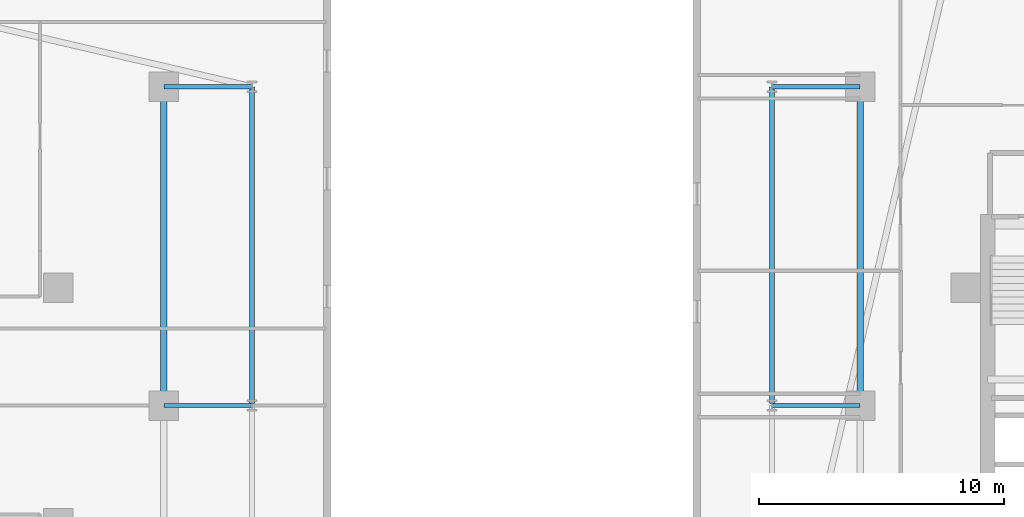
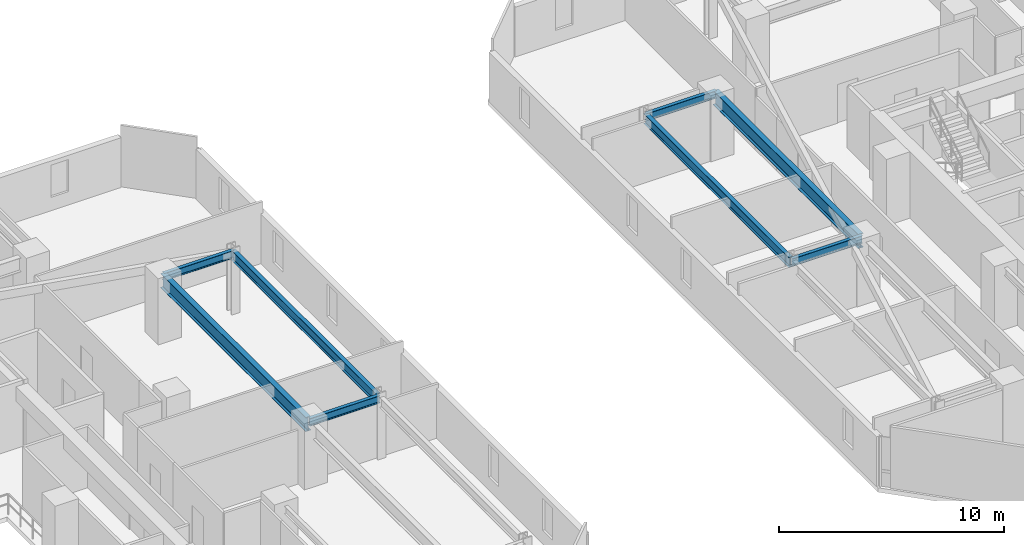
# One storey, part 7 of 31: 8 beams.
"""IFC4 building model written with IfcOpenShell, lengths in metres."""

from ifc_helpers import new_model, si_unit, direction, frame, origin, origin_2d, place, context, subcontext, project, spatial, i_section, extrude, material, material_profile, profile_set, type_object, element, save


model = new_model("IFC4")

# Units and contexts
model_context = context("Model", 3, precision=1e-05, world=origin(), true_north=direction((0.0, 1.0)))
body_context = subcontext(model_context, "Body", "Model", "MODEL_VIEW")
ifc_project = project(units=[si_unit("LENGTHUNIT", "METRE"), si_unit("AREAUNIT", "SQUARE_METRE"), si_unit("VOLUMEUNIT", "CUBIC_METRE"), si_unit("PLANEANGLEUNIT", "RADIAN"), si_unit("MASSUNIT", "GRAM", prefix="KILO")], contexts=[model_context])

# Site, building, storey
site_placement = place(None, origin())
site = spatial("IfcSite", under=ifc_project, at=site_placement, CompositionType="ELEMENT")
building_placement = place(site_placement, origin())
building = spatial("IfcBuilding", under=site, at=building_placement, Name="Thornwick Lancets Civic Towers", CompositionType="ELEMENT")
storey_placement = place(building_placement, frame((0.0, 0.0, 90.89990234375)))
storey = spatial("IfcBuildingStorey", under=building, at=storey_placement, Name="L23", CompositionType="ELEMENT", Elevation=90.89990234375)

# Beams
ifc_material = material(Name="Steel S355JR", Category="steel")
ifc_material_profile_1 = material_profile(ifc_material, i_section(OverallWidth=0.2119140625, OverallDepth=0.54443359375, WebThickness=0.0126953125, FlangeThickness=0.021240234375, FilletRadius=0.0126953125, at=origin_2d()), Name="UKB 533x210x122")
ifc_profile_set_1 = profile_set([ifc_material_profile_1], Name="Steel S355JR")
beam_type_1 = type_object("IfcBeamType", Name="BM_EDGE_533_122", PredefinedType="SPANDREL", material=ifc_profile_set_1)
for number, where, z_axis, x_axis, name in (
    (1, (46.39990234375, 27.080078125, 3.087890625), (0.0, 1.0, 0.0), (-1.0, 0.0, 0.0), "BM-EDGE-L23-A-S1-2"),
    (2, (67.60009765625, 27.080078125, 3.087890625), (0.0, 1.0, 0.0), (-1.0, 0.0, 0.0), "BM-EDGE-L23-B-S2-2"),
):
    element("IfcBeam", number, at=place(storey_placement, frame(where, z_axis=z_axis, x_axis=x_axis)), inside=storey, type_object=beam_type_1, Name=name, PredefinedType="SPANDREL", context=body_context, shape_type="SweptSolid", body=[
        extrude(i_section(OverallWidth=0.2119140625, OverallDepth=0.54443359375, WebThickness=0.0126953125, FlangeThickness=0.021240234375, FilletRadius=0.0126953125, at=origin_2d()), origin(), (0.0, 0.0, 1.0), 12.919921875),
    ])
ifc_material_profile_2 = material_profile(ifc_material, i_section(OverallWidth=0.26806640625, OverallDepth=0.769775390625, WebThickness=0.015625, FlangeThickness=0.025390625, FilletRadius=0.0166015625, at=origin_2d()), Name="UKB 762x267x197")
ifc_profile_set_2 = profile_set([ifc_material_profile_2], Name="Steel S355JR")
beam_type_2 = type_object("IfcBeamType", Name="BM_GIRD_762_197", PredefinedType="BEAM", material=ifc_profile_set_2)
for number, where, z_axis, x_axis, name in (
    (3, (42.800048828125, 27.080078125, 2.97509765625), (0.0, 1.0, 0.0), (-1.0, 0.0, 0.0), "BM-SPINE-L23-A-4-5"),
    (4, (71.199951171875, 27.080078125, 2.97509765625), (0.0, 1.0, 0.0), (-1.0, 0.0, 0.0), "BM-SPINE-L23-B-7-8"),
):
    element("IfcBeam", number, at=place(storey_placement, frame(where, z_axis=z_axis, x_axis=x_axis)), inside=storey, type_object=beam_type_2, Name=name, PredefinedType="BEAM", context=body_context, shape_type="SweptSolid", body=[
        extrude(i_section(OverallWidth=0.26806640625, OverallDepth=0.769775390625, WebThickness=0.015625, FlangeThickness=0.025390625, FilletRadius=0.0166015625, at=origin_2d()), origin(), (0.0, 0.0, 1.0), 12.919921875),
    ])
ifc_material_profile_3 = material_profile(ifc_material, i_section(OverallWidth=0.179443359375, OverallDepth=0.412841796875, WebThickness=0.009521484375, FlangeThickness=0.01611328125, FilletRadius=0.01025390625, at=origin_2d()), Name="UKB 406x178x74")
ifc_profile_set_3 = profile_set([ifc_material_profile_3], Name="Steel S355JR")
beam_type_3 = type_object("IfcBeamType", Name="BM_JOIST_406_74", PredefinedType="JOIST", material=ifc_profile_set_3)
for number, where, z_axis, x_axis, name in (
    (5, (42.800048828125, 27.0, 3.15380859375), (1.0, 0.0, 0.0), (0.0, 1.0, 0.0), "BM-RAD-L23-A05"),
    (6, (42.800048828125, 40.0, 3.15380859375), (1.0, 0.0, 0.0), (0.0, 1.0, 0.0), "BM-RAD-L23-A06"),
    (7, (71.199951171875, 27.0, 3.15380859375), (-1.0, 0.0, 0.0), (0.0, -1.0, 0.0), "BM-RAD-L23-B08"),
    (8, (71.199951171875, 40.0, 3.15380859375), (-1.0, 0.0, 0.0), (0.0, -1.0, 0.0), "BM-RAD-L23-B09"),
):
    element("IfcBeam", number, at=place(storey_placement, frame(where, z_axis=z_axis, x_axis=x_axis)), inside=storey, type_object=beam_type_3, Name=name, PredefinedType="JOIST", context=body_context, shape_type="SweptSolid", body=[
        extrude(i_section(OverallWidth=0.179443359375, OverallDepth=0.412841796875, WebThickness=0.009521484375, FlangeThickness=0.01611328125, FilletRadius=0.01025390625, at=origin_2d()), origin(), (0.0, 0.0, 1.0), 3.599853515625),
    ])

save(model, "model.ifc")
